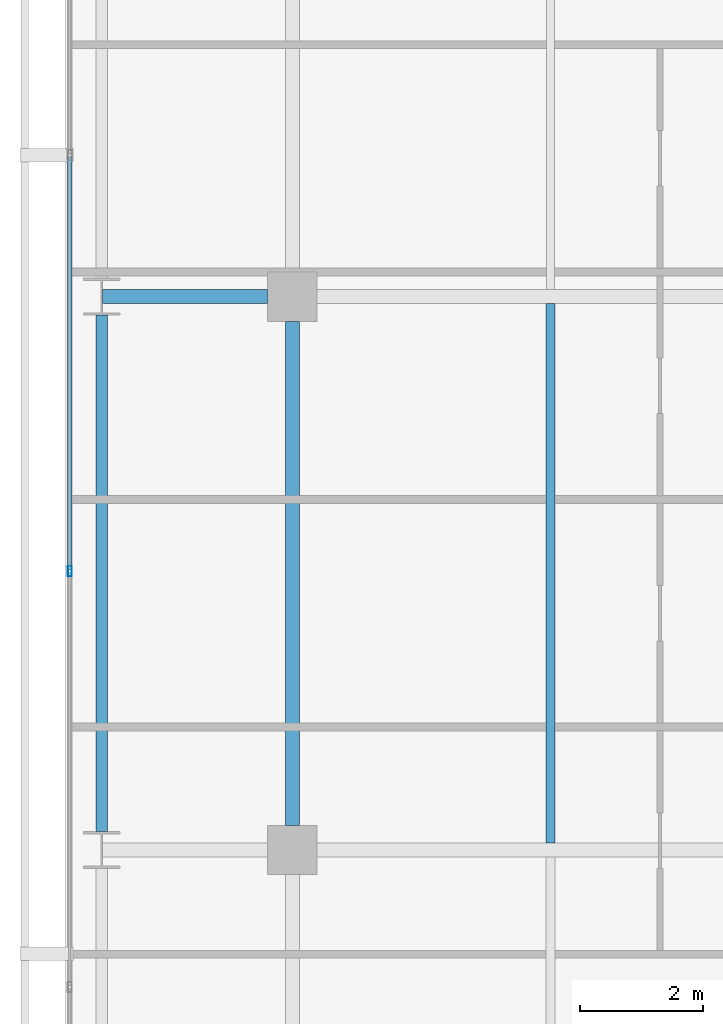
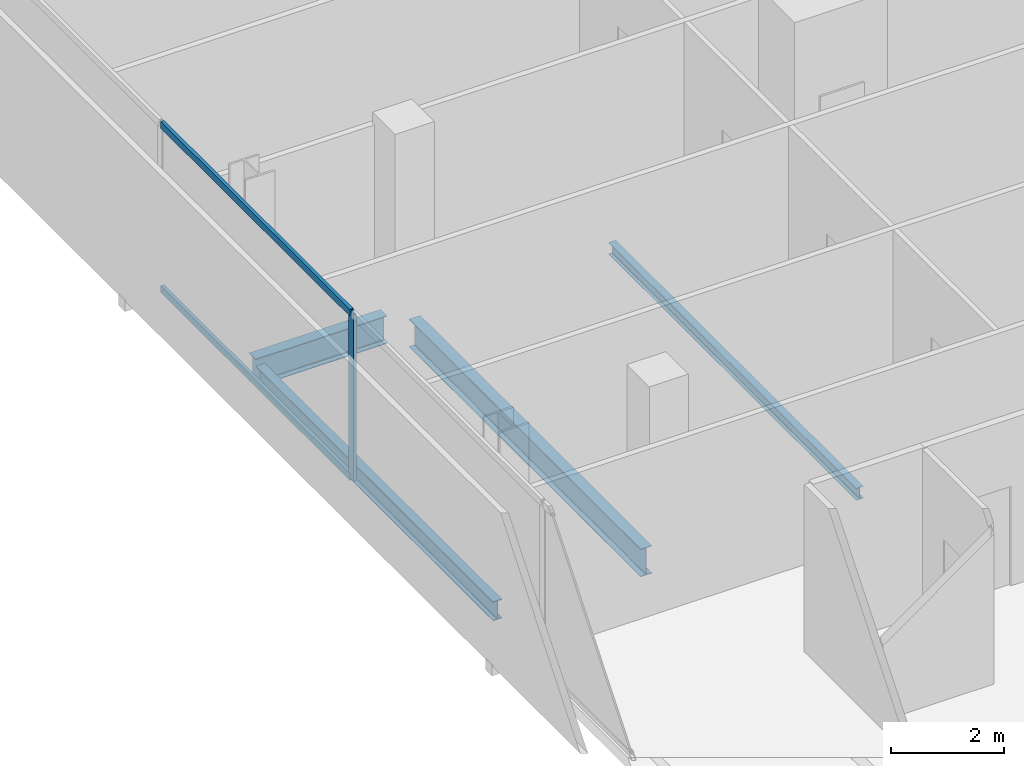
# One storey, part 8 of 34: 4 beams, 3 members, 1 element without a shape of its own.
"""IFC4 building model written with IfcOpenShell, lengths in metres."""

from ifc_helpers import new_model, si_unit, direction, frame, origin, origin_2d, place, context, subcontext, project, spatial, hollow_rectangle, i_section, extrude, material, layer, layer_set, material_profile, profile_set, type_object, element, aggregate, save


model = new_model("IFC4")

# Units and contexts
model_context = context("Model", 3, precision=1e-05, world=origin(), true_north=direction((0.0, 1.0)))
body_context = subcontext(model_context, "Body", "Model", "MODEL_VIEW")
ifc_project = project(units=[si_unit("LENGTHUNIT", "METRE"), si_unit("AREAUNIT", "SQUARE_METRE"), si_unit("VOLUMEUNIT", "CUBIC_METRE"), si_unit("PLANEANGLEUNIT", "RADIAN"), si_unit("MASSUNIT", "GRAM", prefix="KILO")], contexts=[model_context])

# Site, building, storey
site_placement = place(None, origin())
site = spatial("IfcSite", under=ifc_project, at=site_placement, CompositionType="ELEMENT")
building_placement = place(site_placement, origin())
building = spatial("IfcBuilding", under=site, at=building_placement, Name="Maruvema Waterfront Hotel and Observation Tower", CompositionType="ELEMENT")
storey_placement = place(building_placement, frame((0.0, 0.0, 185.14990234375)))
storey = spatial("IfcBuildingStorey", under=building, at=storey_placement, Name="L45", CompositionType="ELEMENT", Elevation=185.14990234375)

# Curtain wall, members
ifc_material_1 = material(Name="Anodised bronze aluminium and solar-control low-E IGU", Category="aluminium")
ifc_layer = layer(ifc_material_1, 0.159912109375, Name="Zone 2 Amber Inner Thermal Curtain Wall System CW-03")
ifc_layer_set = layer_set([ifc_layer], Name="Anodised bronze aluminium and solar-control low-E IGU")
curtain_wall_type = type_object("IfcCurtainWallType", Name="Zone 2 Amber Inner Thermal Curtain Wall System CW-03", PredefinedType="USERDEFINED", material=ifc_layer_set)
curtain_wall_placement = place(storey_placement, origin())
curtain_wall = element("IfcCurtainWall", 1, at=curtain_wall_placement, inside=storey, type_object=curtain_wall_type, Name="L45 Curtain Wall CW-L45-W", ObjectType="UNITISED CURTAIN WALL", PredefinedType="USERDEFINED")
ifc_material_2 = material(Name="Anodised architectural bronze aluminium", Category="aluminium")
ifc_material_profile_1 = material_profile(ifc_material_2, hollow_rectangle(XDim=0.070068359375, YDim=0.14990234375, WallThickness=0.00390625, at=origin_2d()), Name="ALU-T70x150")
ifc_profile_set_1 = profile_set([ifc_material_profile_1], Name="Anodised architectural bronze aluminium")
member_type_1 = type_object("IfcMemberType", Name="Curtain Wall Horizontal Transom ALU-T70x150", PredefinedType="USERDEFINED", material=ifc_profile_set_1)
member_1_placement = place(storey_placement, frame((13.179931640625, 29.27001953125, 0.030029296875), z_axis=(0.0, -1.0, 0.0), x_axis=(1.0, 0.0, 0.0)))
member_1 = element("IfcMember", 2, at=member_1_placement, type_object=member_type_1, Name="CW-03 transom 4.1", ObjectType="TRANSOM", PredefinedType="USERDEFINED", context=body_context, shape_type="SweptSolid", body=[
    extrude(hollow_rectangle(XDim=0.070068359375, YDim=0.14990234375, WallThickness=0.00390625, at=origin_2d()), origin(), (0.0, 0.0, 1.0), 6.706787109375),
])
member_2_placement = place(storey_placement, frame((13.179931640625, 29.27001953125, 3.580078125), z_axis=(0.0, -1.0, 0.0), x_axis=(1.0, 0.0, 0.0)))
member_2 = element("IfcMember", 3, at=member_2_placement, type_object=member_type_1, Name="CW-03 transom 4.2", ObjectType="TRANSOM", PredefinedType="USERDEFINED", context=body_context, shape_type="SweptSolid", body=[
    extrude(hollow_rectangle(XDim=0.070068359375, YDim=0.14990234375, WallThickness=0.00390625, at=origin_2d()), origin(), (0.0, 0.0, 1.0), 6.706787109375),
])
ifc_material_3 = material(Name="Anodised architectural bronze aluminium", Category="aluminium")
ifc_material_profile_2 = material_profile(ifc_material_3, hollow_rectangle(XDim=0.06494140625, YDim=0.1650390625, WallThickness=0.00390625, at=origin_2d()), Name="ALU-M65x165")
ifc_profile_set_2 = profile_set([ifc_material_profile_2], Name="Anodised architectural bronze aluminium")
member_type_2 = type_object("IfcMemberType", Name="Curtain Wall Primary Mullion ALU-M65x165", PredefinedType="MULLION", material=ifc_profile_set_2)
member_3_placement = place(storey_placement, frame((13.179931640625, 22.533447265625, 0.0), z_axis=(0.0, 0.0, 1.0), x_axis=(1.0, 0.0, 0.0)))
member_3 = element("IfcMember", 4, at=member_3_placement, type_object=member_type_2, Name="CW-03 mullion 5", PredefinedType="MULLION", context=body_context, shape_type="SweptSolid", body=[
    extrude(hollow_rectangle(XDim=0.06494140625, YDim=0.1650390625, WallThickness=0.00390625, at=origin_2d()), origin(), (0.0, 0.0, 1.0), 3.610107421875),
])
aggregate(curtain_wall, [member_3, member_1, member_2])

# Beams
ifc_material_4 = material(Name="Steel ASTM A572 Grade 50", Category="steel")
ifc_material_profile_3 = material_profile(ifc_material_4, i_section(OverallWidth=0.180908203125, OverallDepth=0.4169921875, WebThickness=0.010986328125, FlangeThickness=0.018310546875, FilletRadius=0.014892578125, at=origin_2d()), Name="W410x85.0")
ifc_profile_set_3 = profile_set([ifc_material_profile_3], Name="Steel ASTM A572 Grade 50")
beam_type_1 = type_object("IfcBeamType", Name="Perimeter Spandrel Beam W410x85.0", PredefinedType="SPANDREL", material=ifc_profile_set_3)
beam_1_placement = place(storey_placement, frame((13.699951171875, 18.300048828125, -0.448486328125), z_axis=(0.0, 1.0, 0.0), x_axis=(-1.0, 0.0, 0.0)))
element("IfcBeam", 5, at=beam_1_placement, inside=storey, type_object=beam_type_1, Name="L45 Floor Girder NS-02", PredefinedType="SPANDREL", context=body_context, shape_type="SweptSolid", body=[
    extrude(i_section(OverallWidth=0.180908203125, OverallDepth=0.4169921875, WebThickness=0.010986328125, FlangeThickness=0.018310546875, FilletRadius=0.014892578125, at=origin_2d()), origin(), (0.0, 0.0, 1.0), 8.39990234375),
])
ifc_material_5 = material(Name="Steel ASTM A572 Grade 50", Category="steel")
ifc_material_profile_4 = material_profile(ifc_material_5, i_section(OverallWidth=0.22802734375, OverallDepth=0.60302734375, WebThickness=0.010498046875, FlangeThickness=0.014892578125, FilletRadius=0.01806640625, at=origin_2d()), Name="W610x101.0")
ifc_profile_set_4 = profile_set([ifc_material_profile_4], Name="Steel ASTM A572 Grade 50")
beam_type_2 = type_object("IfcBeamType", Name="Primary Floor Girder W610x101.0", PredefinedType="BEAM", material=ifc_profile_set_4)
beam_2_placement = place(storey_placement, frame((13.71240234375, 27.0, -0.54150390625), z_axis=(1.0, 0.0, 0.0), x_axis=(0.0, 1.0, 0.0)))
element("IfcBeam", 6, at=beam_2_placement, inside=storey, type_object=beam_type_2, Name="L45 Floor Girder EW-18", PredefinedType="BEAM", context=body_context, shape_type="SweptSolid", body=[
    extrude(i_section(OverallWidth=0.22802734375, OverallDepth=0.60302734375, WebThickness=0.010498046875, FlangeThickness=0.014892578125, FilletRadius=0.01806640625, at=origin_2d()), origin(), (0.0, 0.0, 1.0), 2.6875),
])
beam_3_placement = place(storey_placement, frame((16.800048828125, 18.39990234375, -0.54150390625), z_axis=(0.0, 1.0, 0.0), x_axis=(-1.0, 0.0, 0.0)))
element("IfcBeam", 7, at=beam_3_placement, inside=storey, type_object=beam_type_2, Name="L45 Floor Girder NS-06", PredefinedType="BEAM", context=body_context, shape_type="SweptSolid", body=[
    extrude(i_section(OverallWidth=0.22802734375, OverallDepth=0.60302734375, WebThickness=0.010498046875, FlangeThickness=0.014892578125, FilletRadius=0.01806640625, at=origin_2d()), origin(), (0.0, 0.0, 1.0), 8.2001953125),
])
ifc_material_6 = material(Name="Steel ASTM A572 Grade 50", Category="steel")
ifc_material_profile_5 = material_profile(ifc_material_6, i_section(OverallWidth=0.14599609375, OverallDepth=0.258056640625, WebThickness=0.006103515625, FlangeThickness=0.009033203125, FilletRadius=0.012939453125, at=origin_2d()), Name="W250x32.7")
ifc_profile_set_5 = profile_set([ifc_material_profile_5], Name="Steel ASTM A572 Grade 50")
beam_type_3 = type_object("IfcBeamType", Name="Secondary Floor Joist W250x32.7", PredefinedType="JOIST", material=ifc_profile_set_5)
beam_4_placement = place(storey_placement, frame((21.0, 18.114013671875, -0.368896484375), z_axis=(0.0, 1.0, 0.0), x_axis=(-1.0, 0.0, 0.0)))
element("IfcBeam", 8, at=beam_4_placement, inside=storey, type_object=beam_type_3, Name="L45 Secondary Floor Joist JS-02", PredefinedType="JOIST", context=body_context, shape_type="SweptSolid", body=[
    extrude(i_section(OverallWidth=0.14599609375, OverallDepth=0.258056640625, WebThickness=0.006103515625, FlangeThickness=0.009033203125, FilletRadius=0.012939453125, at=origin_2d()), origin(), (0.0, 0.0, 1.0), 8.77197265625),
])

save(model, "model.ifc")
